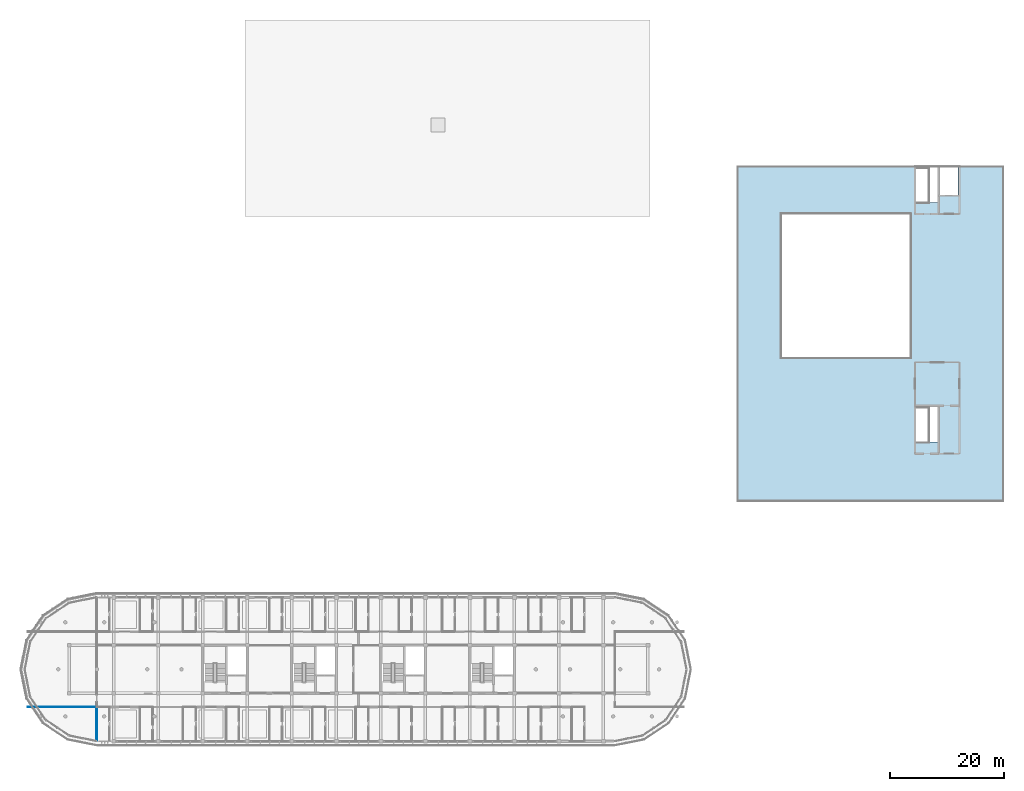
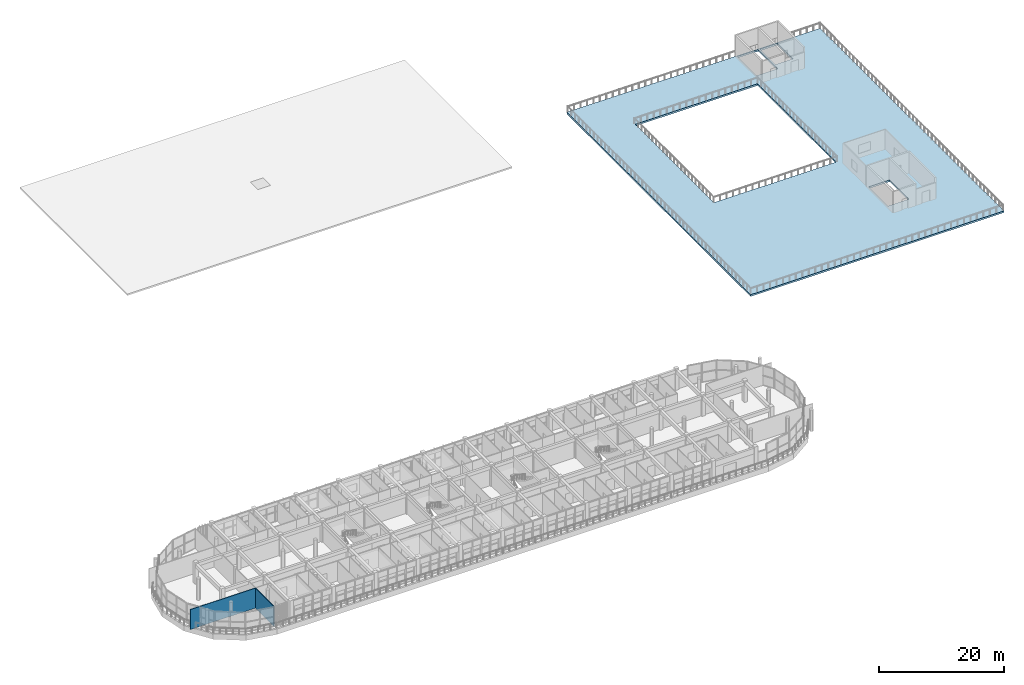
# One storey, part 49 of 63: 2 walls, 1 slab.
"""IFC4 building model written with IfcOpenShell, lengths in metres."""

from ifc_helpers import new_model, si_unit, direction, frame, frame_2d, origin, place, context, subcontext, project, spatial, polyline, rectangle, outline, extrude, material, layer, layer_set, type_object, element, save


model = new_model("IFC4")

# Units and contexts
model_context = context("Model", 3, precision=1e-05, world=origin(), true_north=direction((0.0, 1.0)))
body_context = subcontext(model_context, "Body", "Model", "MODEL_VIEW")
ifc_project = project(units=[si_unit("LENGTHUNIT", "METRE"), si_unit("AREAUNIT", "SQUARE_METRE"), si_unit("VOLUMEUNIT", "CUBIC_METRE"), si_unit("PLANEANGLEUNIT", "RADIAN"), si_unit("MASSUNIT", "GRAM", prefix="KILO")], contexts=[model_context])

# Site, building, storey
site_placement = place(None, origin())
site = spatial("IfcSite", under=ifc_project, at=site_placement, CompositionType="ELEMENT")
building_placement = place(site_placement, origin())
building = spatial("IfcBuilding", under=site, at=building_placement, Name="Zizhar Promenade General Hospital", CompositionType="ELEMENT")
storey_placement = place(building_placement, frame((0.0, 0.0, 18.0)))
storey = spatial("IfcBuildingStorey", under=building, at=storey_placement, Name="L04", CompositionType="ELEMENT", Elevation=18.0)

# Slab
ifc_material_1 = material(Name="Planted green roof Concrete C35/45", Category="concrete")
ifc_layer_1 = layer(ifc_material_1, 0.340087890625)
ifc_layer_set_1 = layer_set([ifc_layer_1], Name="Planted green roof Concrete C35/45")
slab_type = type_object("IfcSlabType", Name="SLB-GARDEN-340", PredefinedType="ROOF", material=ifc_layer_set_1)
slab_placement = place(storey_placement, frame((0.0, 0.0, -0.340087890625)))
element("IfcSlab", 1, at=slab_placement, inside=storey, type_object=slab_type, Name="Level L04 Outpatient Therapeutic Roof Garden Slab", PredefinedType="ROOF", context=body_context, shape_type="SweptSolid", body=[
    extrude(outline(polyline([(140.39990234375, 42.0), (187.199951171875, 42.0), (187.199951171875, 100.800048828125), (140.39990234375, 100.800048828125), (140.39990234375, 42.0)]), holes=[polyline([(148.199951171875, 67.199951171875), (148.199951171875, 92.39990234375), (170.800048828125, 92.39990234375), (170.800048828125, 67.199951171875), (148.199951171875, 67.199951171875)]), polyline([(171.780029296875, 94.429931640625), (171.780029296875, 100.6201171875), (175.679931640625, 100.6201171875), (175.679931640625, 94.429931640625), (171.780029296875, 94.429931640625)]), polyline([(175.949951171875, 95.6201171875), (175.949951171875, 100.580078125), (179.179931640625, 100.580078125), (179.179931640625, 95.6201171875), (175.949951171875, 95.6201171875)]), polyline([(171.780029296875, 52.429931640625), (171.780029296875, 58.6201171875), (175.679931640625, 58.6201171875), (175.679931640625, 52.429931640625), (171.780029296875, 52.429931640625)])]), origin(), (0.0, 0.0, 1.0), 0.340087890625),
])

# Walls
ifc_material_2 = material(Name="Clean utility gypsum partition")
ifc_layer_2 = layer(ifc_material_2, 0.114990234375)
ifc_layer_set_2 = layer_set([ifc_layer_2], Name="Clean utility gypsum partition")
wall_type_1 = type_object("IfcWallType", Name="IW-STR-115", PredefinedType="PARTITIONING", material=ifc_layer_set_2)
wall_1_placement = place(storey_placement, frame((16.10009765625, 6.0, 0.0), z_axis=(0.0, 0.0, 1.0), x_axis=(1.0, 0.0, 0.0)))
element("IfcWall", 2, at=wall_1_placement, inside=storey, type_object=wall_type_1, Name="West Patient Recovery Solarium L04 S Partition", PredefinedType="PARTITIONING", context=body_context, shape_type="SweptSolid", body=[
    extrude(rectangle(XDim=12.099853515625, YDim=0.114990234375, at=frame_2d((6.0498046875, 0.0))), origin(), (0.0, 0.0, 1.0), 3.89990234375),
])
ifc_material_3 = material(Name="Moisture-resistant en-suite wet partition")
ifc_layer_3 = layer(ifc_material_3, 0.125)
ifc_layer_set_3 = layer_set([ifc_layer_3], Name="Moisture-resistant en-suite wet partition")
wall_type_2 = type_object("IfcWallType", Name="IW-WET-125", PredefinedType="PARTITIONING", material=ifc_layer_set_3)
wall_2_placement = place(storey_placement, frame((28.199951171875, 0.044921875, 0.0), z_axis=(0.0, 0.0, 1.0), x_axis=(0.0, 1.0, 0.0)))
element("IfcWall", 3, at=wall_2_placement, inside=storey, type_object=wall_type_2, Name="En-Suite Patient Bathroom L04-S01 W Partition", PredefinedType="PARTITIONING", context=body_context, shape_type="SweptSolid", body=[
    extrude(rectangle(XDim=5.955078125, YDim=0.125, at=frame_2d((2.9775390625, 0.0))), origin(), (0.0, 0.0, 1.0), 3.89990234375),
])

save(model, "model.ifc")
